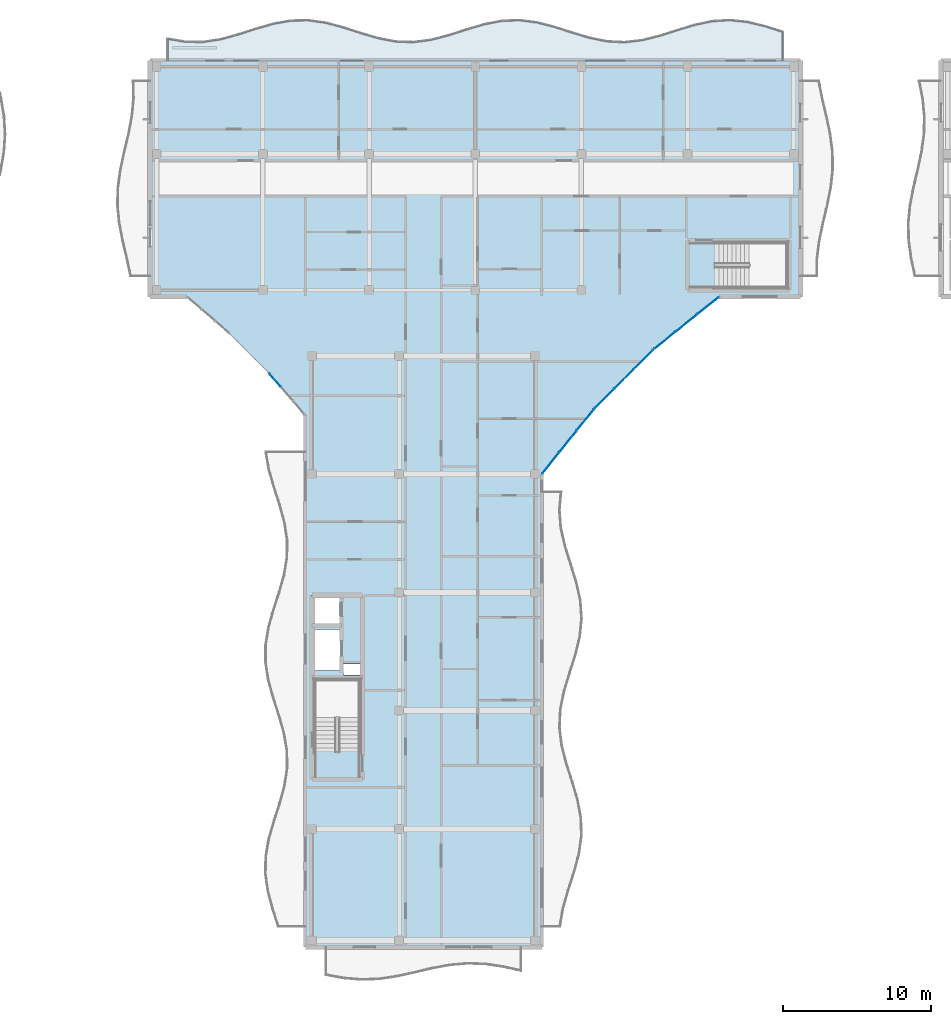
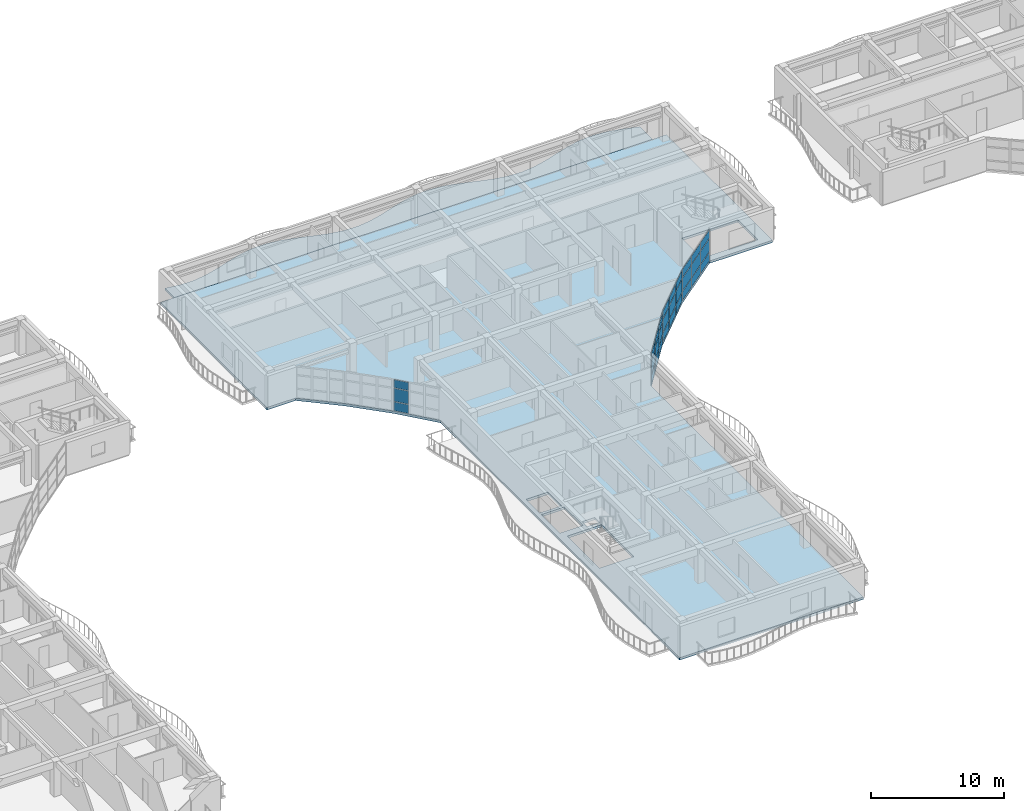
# One storey, part 28 of 76: 30 plates, 2 slabs, 4 elements without a shape of their own.
"""IFC4 building model written with IfcOpenShell, lengths in metres."""

import ifcopenshell
import ifcopenshell.guid

model = None  # the IFC model being written
_history = None  # IfcOwnerHistory: only IFC2X3 demands one
_inside = {}  # id of a spatial element -> (the spatial element, [elements in it])
_under = {}  # id of a project, library or spatial element -> (it, [spatial elements below it])
_declared = {}  # id of a project -> (the project, [libraries it declares])
_typed = {}  # id of a type object -> (the type object, [elements of that type])
_made_of = {}  # id of a material, layer set ... -> (it, [elements and type objects made of it])


def new_model(schema):
    """Start an empty IFC model of exactly this schema.

    Asked for "IFC4X3", IfcOpenShell would pick the latest addendum, in which some entities
    have other attributes; the version numbers below select the first issue.
    IFC2X3 requires an IfcOwnerHistory on every rooted entity: one is made here for all.
    """
    global model, _history
    if schema == "IFC4X3":
        model = ifcopenshell.file(schema_version=(4, 3, 0, 0))
    else:
        model = ifcopenshell.file(schema=schema)
    _inside.clear()
    _under.clear()
    _declared.clear()
    _typed.clear()
    _made_of.clear()
    _history = None
    if model.schema == "IFC2X3":
        org = make("IfcOrganization", Name="unknown")
        user = make(
            "IfcPersonAndOrganization",
            ThePerson=make("IfcPerson", FamilyName="unknown"),
            TheOrganization=org,
        )
        app = make(
            "IfcApplication",
            ApplicationDeveloper=org,
            Version="unknown",
            ApplicationFullName="unknown",
            ApplicationIdentifier="unknown",
        )
        _history = make(
            "IfcOwnerHistory",
            OwningUser=user,
            OwningApplication=app,
            ChangeAction="ADDED",
            CreationDate=0,
        )
    return model


def make(cls, **values):
    """One entity of the class cls with the attributes given. An attribute that is None is left unset."""
    return model.create_entity(
        cls, **{name: value for name, value in values.items() if value is not None}
    )


def rooted(cls, **values):
    """An entity with a GlobalId (a new one), such as an element, a storey or a relation."""
    return make(cls, GlobalId=ifcopenshell.guid.new(), OwnerHistory=_history, **values)


def si_unit(unit_type, name, prefix=None):
    """IfcSIUnit, for example si_unit("LENGTHUNIT", "METRE", prefix="MILLI")."""
    return make("IfcSIUnit", UnitType=unit_type, Prefix=prefix, Name=name)


def assignment(units):
    """IfcUnitAssignment: the units of a project."""
    return None if units is None else make("IfcUnitAssignment", Units=units)


def point(xyz):
    """IfcCartesianPoint."""
    return None if xyz is None else make("IfcCartesianPoint", Coordinates=xyz)


def direction(xyz):
    """IfcDirection."""
    return None if xyz is None else make("IfcDirection", DirectionRatios=xyz)


def frame(location, z_axis=None, x_axis=None):
    """IfcAxis2Placement3D, a coordinate frame: its origin and axes. An axis left out is left unset."""
    return make(
        "IfcAxis2Placement3D",
        Location=point(location),
        Axis=direction(z_axis),
        RefDirection=direction(x_axis),
    )


def frame_2d(location, x_axis=None):
    """IfcAxis2Placement2D, a coordinate frame in the plane: its origin and x axis."""
    return make(
        "IfcAxis2Placement2D", Location=point(location), RefDirection=direction(x_axis)
    )


def origin():
    """The frame at (0, 0, 0) with its axes left unset."""
    return frame((0.0, 0.0, 0.0))


def origin_2d():
    """The frame at (0, 0) in the plane with its x axis left unset."""
    return frame_2d((0.0, 0.0))


def place(relative_to, where):
    """IfcLocalPlacement: puts the frame where relative to a parent placement (None: the world)."""
    return make(
        "IfcLocalPlacement", PlacementRelTo=relative_to, RelativePlacement=where
    )


def context(
    kind, dimensions, precision=None, world=None, true_north=None, identifier=None
):
    """IfcGeometricRepresentationContext, for example the 3D "Model" context."""
    return make(
        "IfcGeometricRepresentationContext",
        ContextIdentifier=identifier,
        ContextType=kind,
        CoordinateSpaceDimension=dimensions,
        Precision=precision,
        WorldCoordinateSystem=world,
        TrueNorth=true_north,
    )


def subcontext(parent, identifier, kind, view, scale=None):
    """IfcGeometricRepresentationSubContext, for example "Body" below "Model"."""
    return make(
        "IfcGeometricRepresentationSubContext",
        ContextIdentifier=identifier,
        ContextType=kind,
        ParentContext=parent,
        TargetScale=scale,
        TargetView=view,
    )


def project(units=None, contexts=None):
    """IfcProject with its units and contexts."""
    return rooted(
        "IfcProject",
        Name="project",
        RepresentationContexts=contexts,
        UnitsInContext=assignment(units),
    )


def spatial(cls, under=None, at=None, **own):
    """A site, building, storey or space (cls), placed at a placement, below another one or the project."""
    s = rooted(cls, ObjectPlacement=at, **own)
    if under is not None:
        _under.setdefault(under.id(), (under, []))[1].append(s)
    return s


def polyline(points):
    """IfcPolyline through the points."""
    return make("IfcPolyline", Points=[point(p) for p in points])


def profile(cls, at=None, kind="AREA", **sizes):
    """A parametric profile (cls). Its sizes go by their IFC names, for example OverallWidth=200.0."""
    return make(cls, ProfileType=kind, Position=at, **sizes)


def rectangle(**sizes):
    """IfcRectangleProfileDef."""
    return profile("IfcRectangleProfileDef", **sizes)


def outline(outer, holes=None, kind="AREA"):
    """IfcArbitraryClosedProfileDef: a profile drawn as a closed curve; with holes, ...WithVoids."""
    if holes is None:
        return make("IfcArbitraryClosedProfileDef", ProfileType=kind, OuterCurve=outer)
    return make(
        "IfcArbitraryProfileDefWithVoids",
        ProfileType=kind,
        OuterCurve=outer,
        InnerCurves=holes,
    )


def extrude(swept, where, along, depth):
    """IfcExtrudedAreaSolid: the profile swept, set in the frame where, extruded along a direction by depth."""
    return make(
        "IfcExtrudedAreaSolid",
        SweptArea=swept,
        Position=where,
        ExtrudedDirection=direction(along),
        Depth=depth,
    )


def shape(context_of_items, identifier, shape_type, items):
    """IfcShapeRepresentation: the items that make up one representation, for example the "Body"."""
    return make(
        "IfcShapeRepresentation",
        ContextOfItems=context_of_items,
        RepresentationIdentifier=identifier,
        RepresentationType=shape_type,
        Items=items,
    )


def material(Name=None, Category=None):
    """IfcMaterial."""
    return make("IfcMaterial", Name=Name, Category=Category)


def layer(
    of_material, thickness, ventilated=None, Name=None, Category=None, Priority=None
):
    """IfcMaterialLayer: one layer of a wall or slab, of a material (None: an air gap)."""
    return make(
        "IfcMaterialLayer",
        Material=of_material,
        LayerThickness=thickness,
        IsVentilated=ventilated,
        Name=Name,
        Category=Category,
        Priority=Priority,
    )


def layer_set(layers, Name=None):
    """IfcMaterialLayerSet."""
    return make("IfcMaterialLayerSet", MaterialLayers=layers, LayerSetName=Name)


def made_of(thing, what):
    """Note that an element or type object is made of a material, layer set ...; save() writes the relation."""
    if what is not None:
        _made_of.setdefault(what.id(), (what, []))[1].append(thing)
    return thing


def type_object(cls, material=None, **own):
    """A type object (cls), such as IfcWallType, which elements share."""
    return made_of(rooted(cls, **own), material)


def element(
    cls,
    number,
    at=None,
    inside=None,
    cuts=None,
    type_object=None,
    material=None,
    context=None,
    identifier="Body",
    shape_type=None,
    held_by="IfcProductDefinitionShape",
    body=None,
    shapes=None,
    **own,
):
    """One element of the class cls, such as IfcWall. Its Tag is "e" and its number.

    at: its placement. inside: the storey or other place that contains it. cuts: it is an
    opening in that element (IfcRelVoidsElement). A single representation is given by context,
    identifier, shape_type and body (its items); several are given by shapes. held_by: the class
    of the entity that holds the representations. save() writes the other relations.
    """
    e = rooted(cls, Tag="e%d" % number, ObjectPlacement=at, **own)
    if body is not None:
        shapes = [shape(context, identifier, shape_type, body)]
    if shapes is not None:
        e.Representation = make(held_by, Representations=shapes)
    if inside is not None:
        _inside.setdefault(inside.id(), (inside, []))[1].append(e)
    if cuts is not None:
        rooted(
            "IfcRelVoidsElement", RelatingBuildingElement=cuts, RelatedOpeningElement=e
        )
    if type_object is not None:
        _typed.setdefault(type_object.id(), (type_object, []))[1].append(e)
    return made_of(e, material)


def aggregate(whole, parts):
    """IfcRelAggregates: a whole, such as a stair, and the parts it consists of."""
    return rooted("IfcRelAggregates", RelatingObject=whole, RelatedObjects=parts)


def save(model, path):
    """Write the relations noted so far, then the file.

    IfcRelAggregates (storeys below a building ...), IfcRelContainedInSpatialStructure (elements
    in a storey), IfcRelDefinesByType, IfcRelAssociatesMaterial and IfcRelDeclares: one each for
    every whole, place, type object, material and project.
    """
    for whole, parts in _under.values():
        aggregate(whole, parts)
    for where, things in _inside.values():
        rooted(
            "IfcRelContainedInSpatialStructure",
            RelatedElements=things,
            RelatingStructure=where,
        )
    for kind, things in _typed.values():
        rooted("IfcRelDefinesByType", RelatedObjects=things, RelatingType=kind)
    for what, things in _made_of.values():
        rooted("IfcRelAssociatesMaterial", RelatedObjects=things, RelatingMaterial=what)
    for by, libraries in _declared.values():
        rooted("IfcRelDeclares", RelatingContext=by, RelatedDefinitions=libraries)
    model.write(path)


model = new_model("IFC4")

# Units and contexts
model_context = context("Model", 3, precision=1e-05, world=origin(), true_north=direction((0.0, 1.0)))
body_context = subcontext(model_context, "Body", "Model", "MODEL_VIEW")
ifc_project = project(units=[si_unit("LENGTHUNIT", "METRE"), si_unit("AREAUNIT", "SQUARE_METRE"), si_unit("VOLUMEUNIT", "CUBIC_METRE"), si_unit("PLANEANGLEUNIT", "RADIAN"), si_unit("MASSUNIT", "GRAM", prefix="KILO")], contexts=[model_context])

# Site, building, storey
site_placement = place(None, origin())
site = spatial("IfcSite", under=ifc_project, at=site_placement, CompositionType="ELEMENT")
building_placement = place(site_placement, origin())
building = spatial("IfcBuilding", under=site, at=building_placement, Name="Keldmere Railside Commons", CompositionType="ELEMENT")
storey_placement = place(building_placement, frame((0.0, 0.0, 13.760009765625)))
storey = spatial("IfcBuildingStorey", under=building, at=storey_placement, Name="L04", CompositionType="ELEMENT", Elevation=13.760009765625)

# Curtain wall, plates
ifc_material_1 = material(Name="Thermally Broken Aluminium", Category="aluminium")
ifc_layer_1 = layer(ifc_material_1, 0.159912109375, Name="Court Chord Wintergarden CW 5400x2850")
ifc_layer_set_1 = layer_set([ifc_layer_1], Name="Thermally Broken Aluminium")
curtain_wall_type_1 = type_object("IfcCurtainWallType", Name="Court Chord Wintergarden CW 5400x2850", PredefinedType="NOTDEFINED", material=ifc_layer_set_1)
curtain_wall_1_placement = place(storey_placement, origin())
curtain_wall_1 = element("IfcCurtainWall", 1, at=curtain_wall_1_placement, inside=storey, type_object=curtain_wall_type_1, Name="CW-13 CW-L04-110", PredefinedType="NOTDEFINED")
ifc_material_2 = material(Name="Insulated Aluminium Spandrel Panel", Category="aluminium")
ifc_layer_2 = layer(ifc_material_2, 0.0439453125, Name="Insulated Ocher Spandrel Panel 44")
ifc_layer_set_2 = layer_set([ifc_layer_2], Name="Insulated Aluminium Spandrel Panel")
plate_type_1 = type_object("IfcPlateType", Name="Insulated Ocher Spandrel Panel 44", PredefinedType="CURTAIN_PANEL", material=ifc_layer_set_2)
plate_1_placement = place(storey_placement, frame((126.88916015625, 95.76513671875, 0.06494140625), z_axis=(0.0, 0.0, 1.0), x_axis=(-0.707106781187, -0.707106781187, 0.0)))
plate_1 = element("IfcPlate", 2, at=plate_1_placement, type_object=plate_type_1, Name="CW-13 panel 1.1", PredefinedType="CURTAIN_PANEL", context=body_context, shape_type="SweptSolid", body=[
    extrude(rectangle(XDim=1.795654296875, YDim=0.0439453125, at=origin_2d()), origin(), (0.0, 0.0, 1.0), 0.802490234375),
])
plate_2_placement = place(storey_placement, frame((126.88916015625, 95.76513671875, 0.932373046875), z_axis=(0.0, 0.0, 1.0), x_axis=(-0.707106781187, -0.707106781187, 0.0)))
plate_2 = element("IfcPlate", 3, at=plate_2_placement, type_object=plate_type_1, Name="CW-13 panel 1.2", PredefinedType="CURTAIN_PANEL", context=body_context, shape_type="SweptSolid", body=[
    extrude(rectangle(XDim=1.795654296875, YDim=0.0439453125, at=origin_2d()), origin(), (0.0, 0.0, 1.0), 1.18505859375),
])
plate_3_placement = place(storey_placement, frame((126.88916015625, 95.76513671875, 2.1826171875), z_axis=(0.0, 0.0, 1.0), x_axis=(-0.707106781187, -0.707106781187, 0.0)))
plate_3 = element("IfcPlate", 4, at=plate_3_placement, type_object=plate_type_1, Name="CW-13 panel 1.3", PredefinedType="CURTAIN_PANEL", context=body_context, shape_type="SweptSolid", body=[
    extrude(rectangle(XDim=1.795654296875, YDim=0.0439453125, at=origin_2d()), origin(), (0.0, 0.0, 1.0), 0.732421875),
])
plate_4_placement = place(storey_placement, frame((125.56201171875, 94.43798828125, 0.06494140625), z_axis=(0.0, 0.0, 1.0), x_axis=(-0.707106781187, -0.707106781187, 0.0)))
plate_4 = element("IfcPlate", 5, at=plate_4_placement, type_object=plate_type_1, Name="CW-13 panel 2.1", PredefinedType="CURTAIN_PANEL", context=body_context, shape_type="SweptSolid", body=[
    extrude(rectangle(XDim=1.828125, YDim=0.0439453125, at=origin_2d()), origin(), (0.0, 0.0, 1.0), 0.802490234375),
])
plate_5_placement = place(storey_placement, frame((125.56201171875, 94.43798828125, 0.932373046875), z_axis=(0.0, 0.0, 1.0), x_axis=(-0.707106781187, -0.707106781187, 0.0)))
plate_5 = element("IfcPlate", 6, at=plate_5_placement, type_object=plate_type_1, Name="CW-13 panel 2.2", PredefinedType="CURTAIN_PANEL", context=body_context, shape_type="SweptSolid", body=[
    extrude(rectangle(XDim=1.828125, YDim=0.0439453125, at=origin_2d()), origin(), (0.0, 0.0, 1.0), 1.18505859375),
])
plate_6_placement = place(storey_placement, frame((125.56201171875, 94.43798828125, 2.1826171875), z_axis=(0.0, 0.0, 1.0), x_axis=(-0.707106781187, -0.707106781187, 0.0)))
plate_6 = element("IfcPlate", 7, at=plate_6_placement, type_object=plate_type_1, Name="CW-13 panel 2.3", PredefinedType="CURTAIN_PANEL", context=body_context, shape_type="SweptSolid", body=[
    extrude(rectangle(XDim=1.828125, YDim=0.0439453125, at=origin_2d()), origin(), (0.0, 0.0, 1.0), 0.732421875),
])
plate_7_placement = place(storey_placement, frame((124.23486328125, 93.11083984375, 0.06494140625), z_axis=(0.0, 0.0, 1.0), x_axis=(-0.707106781187, -0.707106781187, 0.0)))
plate_7 = element("IfcPlate", 8, at=plate_7_placement, type_object=plate_type_1, Name="CW-13 panel 3.1", PredefinedType="CURTAIN_PANEL", context=body_context, shape_type="SweptSolid", body=[
    extrude(rectangle(XDim=1.795654296875, YDim=0.0439453125, at=origin_2d()), origin(), (0.0, 0.0, 1.0), 0.802490234375),
])
plate_8_placement = place(storey_placement, frame((124.23486328125, 93.11083984375, 0.932373046875), z_axis=(0.0, 0.0, 1.0), x_axis=(-0.707106781187, -0.707106781187, 0.0)))
plate_8 = element("IfcPlate", 9, at=plate_8_placement, type_object=plate_type_1, Name="CW-13 panel 3.2", PredefinedType="CURTAIN_PANEL", context=body_context, shape_type="SweptSolid", body=[
    extrude(rectangle(XDim=1.795654296875, YDim=0.0439453125, at=origin_2d()), origin(), (0.0, 0.0, 1.0), 1.18505859375),
])
plate_9_placement = place(storey_placement, frame((124.23486328125, 93.11083984375, 2.1826171875), z_axis=(0.0, 0.0, 1.0), x_axis=(-0.707106781187, -0.707106781187, 0.0)))
plate_9 = element("IfcPlate", 10, at=plate_9_placement, type_object=plate_type_1, Name="CW-13 panel 3.3", PredefinedType="CURTAIN_PANEL", context=body_context, shape_type="SweptSolid", body=[
    extrude(rectangle(XDim=1.795654296875, YDim=0.0439453125, at=origin_2d()), origin(), (0.0, 0.0, 1.0), 0.732421875),
])
aggregate(curtain_wall_1, [plate_1, plate_2, plate_3, plate_4, plate_5, plate_6, plate_7, plate_8, plate_9])

ifc_layer_3 = layer(ifc_material_1, 0.159912109375, Name="Court Chord Wintergarden CW 4800x2850")
ifc_layer_set_3 = layer_set([ifc_layer_3], Name="Thermally Broken Aluminium")
curtain_wall_type_2 = type_object("IfcCurtainWallType", Name="Court Chord Wintergarden CW 4800x2850", PredefinedType="NOTDEFINED", material=ifc_layer_set_3)
curtain_wall_2_placement = place(storey_placement, origin())
curtain_wall_2 = element("IfcCurtainWall", 11, at=curtain_wall_2_placement, inside=storey, type_object=curtain_wall_type_2, Name="CW-12 CW-L04-114", PredefinedType="NOTDEFINED")
plate_10_placement = place(storey_placement, frame((101.952392578125, 94.369384765625, 0.06494140625), z_axis=(0.0, 0.0, 1.0), x_axis=(-0.653881741053, 0.756596767584, 0.0)))
plate_10 = element("IfcPlate", 12, at=plate_10_placement, type_object=plate_type_1, Name="CW-12 panel 3.1", PredefinedType="CURTAIN_PANEL", context=body_context, shape_type="SweptSolid", body=[
    extrude(rectangle(XDim=1.16162109375, YDim=0.0439453125, at=origin_2d()), origin(), (0.0, 0.0, 1.0), 0.802490234375),
])
plate_11_placement = place(storey_placement, frame((101.952392578125, 94.369384765625, 0.932373046875), z_axis=(0.0, 0.0, 1.0), x_axis=(-0.653881741053, 0.756596767584, 0.0)))
plate_11 = element("IfcPlate", 13, at=plate_11_placement, type_object=plate_type_1, Name="CW-12 panel 3.2", PredefinedType="CURTAIN_PANEL", context=body_context, shape_type="SweptSolid", body=[
    extrude(rectangle(XDim=1.16162109375, YDim=0.0439453125, at=origin_2d()), origin(), (0.0, 0.0, 1.0), 1.18505859375),
])
plate_12_placement = place(storey_placement, frame((101.952392578125, 94.369384765625, 2.1826171875), z_axis=(0.0, 0.0, 1.0), x_axis=(-0.653881741053, 0.756596767584, 0.0)))
plate_12 = element("IfcPlate", 14, at=plate_12_placement, type_object=plate_type_1, Name="CW-12 panel 3.3", PredefinedType="CURTAIN_PANEL", context=body_context, shape_type="SweptSolid", body=[
    extrude(rectangle(XDim=1.16162109375, YDim=0.0439453125, at=origin_2d()), origin(), (0.0, 0.0, 1.0), 0.732421875),
])
aggregate(curtain_wall_2, [plate_10, plate_11, plate_12])

curtain_wall_3_placement = place(storey_placement, origin())
curtain_wall_3 = element("IfcCurtainWall", 15, at=curtain_wall_3_placement, inside=storey, type_object=curtain_wall_type_2, Name="CW-12 CW-L04-109", PredefinedType="NOTDEFINED")
ifc_layer_4 = layer(ifc_material_2, 0.050048828125, Name="Insulated Terracotta Spandrel Panel 50")
ifc_layer_set_4 = layer_set([ifc_layer_4], Name="Insulated Aluminium Spandrel Panel")
plate_type_2 = type_object("IfcPlateType", Name="Insulated Terracotta Spandrel Panel 50", PredefinedType="CURTAIN_PANEL", material=ifc_layer_set_4)
plate_13_placement = place(storey_placement, frame((122.951416015625, 91.678955078125, 0.06494140625), z_axis=(0.0, 0.0, 1.0), x_axis=(-0.625768080915, -0.780009172323, 0.0)))
plate_13 = element("IfcPlate", 16, at=plate_13_placement, type_object=plate_type_2, Name="CW-12 panel 1.1", PredefinedType="CURTAIN_PANEL", context=body_context, shape_type="SweptSolid", body=[
    extrude(rectangle(XDim=1.795654296875, YDim=0.050048828125, at=origin_2d()), origin(), (0.0, 0.0, 1.0), 0.802490234375),
])
plate_14_placement = place(storey_placement, frame((122.951416015625, 91.678955078125, 0.932373046875), z_axis=(0.0, 0.0, 1.0), x_axis=(-0.625768080915, -0.780009172323, 0.0)))
plate_14 = element("IfcPlate", 17, at=plate_14_placement, type_object=plate_type_2, Name="CW-12 panel 1.2", PredefinedType="CURTAIN_PANEL", context=body_context, shape_type="SweptSolid", body=[
    extrude(rectangle(XDim=1.795654296875, YDim=0.050048828125, at=origin_2d()), origin(), (0.0, 0.0, 1.0), 1.18505859375),
])
plate_15_placement = place(storey_placement, frame((122.951416015625, 91.678955078125, 2.1826171875), z_axis=(0.0, 0.0, 1.0), x_axis=(-0.625768080915, -0.780009172323, 0.0)))
plate_15 = element("IfcPlate", 18, at=plate_15_placement, type_object=plate_type_2, Name="CW-12 panel 1.3", PredefinedType="CURTAIN_PANEL", context=body_context, shape_type="SweptSolid", body=[
    extrude(rectangle(XDim=1.795654296875, YDim=0.050048828125, at=origin_2d()), origin(), (0.0, 0.0, 1.0), 0.732421875),
])
plate_16_placement = place(storey_placement, frame((121.777099609375, 90.215087890625, 0.06494140625), z_axis=(0.0, 0.0, 1.0), x_axis=(-0.625768080915, -0.780009172323, 0.0)))
plate_16 = element("IfcPlate", 19, at=plate_16_placement, type_object=plate_type_2, Name="CW-12 panel 2.1", PredefinedType="CURTAIN_PANEL", context=body_context, shape_type="SweptSolid", body=[
    extrude(rectangle(XDim=1.828125, YDim=0.050048828125, at=origin_2d()), origin(), (0.0, 0.0, 1.0), 0.802490234375),
])
plate_17_placement = place(storey_placement, frame((121.777099609375, 90.215087890625, 0.932373046875), z_axis=(0.0, 0.0, 1.0), x_axis=(-0.625768080915, -0.780009172323, 0.0)))
plate_17 = element("IfcPlate", 20, at=plate_17_placement, type_object=plate_type_2, Name="CW-12 panel 2.2", PredefinedType="CURTAIN_PANEL", context=body_context, shape_type="SweptSolid", body=[
    extrude(rectangle(XDim=1.828125, YDim=0.050048828125, at=origin_2d()), origin(), (0.0, 0.0, 1.0), 1.18505859375),
])
plate_18_placement = place(storey_placement, frame((121.777099609375, 90.215087890625, 2.1826171875), z_axis=(0.0, 0.0, 1.0), x_axis=(-0.625768080915, -0.780009172323, 0.0)))
plate_18 = element("IfcPlate", 21, at=plate_18_placement, type_object=plate_type_2, Name="CW-12 panel 2.3", PredefinedType="CURTAIN_PANEL", context=body_context, shape_type="SweptSolid", body=[
    extrude(rectangle(XDim=1.828125, YDim=0.050048828125, at=origin_2d()), origin(), (0.0, 0.0, 1.0), 0.732421875),
])
plate_19_placement = place(storey_placement, frame((120.6025390625, 88.7509765625, 0.06494140625), z_axis=(0.0, 0.0, 1.0), x_axis=(-0.625768080915, -0.780009172323, 0.0)))
plate_19 = element("IfcPlate", 22, at=plate_19_placement, type_object=plate_type_2, Name="CW-12 panel 3.1", PredefinedType="CURTAIN_PANEL", context=body_context, shape_type="SweptSolid", body=[
    extrude(rectangle(XDim=1.795654296875, YDim=0.050048828125, at=origin_2d()), origin(), (0.0, 0.0, 1.0), 0.802490234375),
])
plate_20_placement = place(storey_placement, frame((120.6025390625, 88.7509765625, 0.932373046875), z_axis=(0.0, 0.0, 1.0), x_axis=(-0.625768080915, -0.780009172323, 0.0)))
plate_20 = element("IfcPlate", 23, at=plate_20_placement, type_object=plate_type_2, Name="CW-12 panel 3.2", PredefinedType="CURTAIN_PANEL", context=body_context, shape_type="SweptSolid", body=[
    extrude(rectangle(XDim=1.795654296875, YDim=0.050048828125, at=origin_2d()), origin(), (0.0, 0.0, 1.0), 1.18505859375),
])
plate_21_placement = place(storey_placement, frame((120.6025390625, 88.7509765625, 2.1826171875), z_axis=(0.0, 0.0, 1.0), x_axis=(-0.625768080915, -0.780009172323, 0.0)))
plate_21 = element("IfcPlate", 24, at=plate_21_placement, type_object=plate_type_2, Name="CW-12 panel 3.3", PredefinedType="CURTAIN_PANEL", context=body_context, shape_type="SweptSolid", body=[
    extrude(rectangle(XDim=1.795654296875, YDim=0.050048828125, at=origin_2d()), origin(), (0.0, 0.0, 1.0), 0.732421875),
])
aggregate(curtain_wall_3, [plate_13, plate_14, plate_15, plate_16, plate_17, plate_18, plate_19, plate_20, plate_21])

curtain_wall_4_placement = place(storey_placement, origin())
curtain_wall_4 = element("IfcCurtainWall", 25, at=curtain_wall_4_placement, inside=storey, type_object=curtain_wall_type_2, Name="CW-12 CW-L04-111", PredefinedType="NOTDEFINED")
plate_22_placement = place(storey_placement, frame((131.2490234375, 99.3974609375, 0.06494140625), z_axis=(0.0, 0.0, 1.0), x_axis=(-0.780009172323, -0.625768080915, 0.0)))
plate_22 = element("IfcPlate", 26, at=plate_22_placement, type_object=plate_type_2, Name="CW-12 panel 1.1", PredefinedType="CURTAIN_PANEL", context=body_context, shape_type="SweptSolid", body=[
    extrude(rectangle(XDim=1.795654296875, YDim=0.050048828125, at=origin_2d()), origin(), (0.0, 0.0, 1.0), 0.802490234375),
])
plate_23_placement = place(storey_placement, frame((131.2490234375, 99.3974609375, 0.932373046875), z_axis=(0.0, 0.0, 1.0), x_axis=(-0.780009172323, -0.625768080915, 0.0)))
plate_23 = element("IfcPlate", 27, at=plate_23_placement, type_object=plate_type_2, Name="CW-12 panel 1.2", PredefinedType="CURTAIN_PANEL", context=body_context, shape_type="SweptSolid", body=[
    extrude(rectangle(XDim=1.795654296875, YDim=0.050048828125, at=origin_2d()), origin(), (0.0, 0.0, 1.0), 1.18505859375),
])
plate_24_placement = place(storey_placement, frame((131.2490234375, 99.3974609375, 2.1826171875), z_axis=(0.0, 0.0, 1.0), x_axis=(-0.780009172323, -0.625768080915, 0.0)))
plate_24 = element("IfcPlate", 28, at=plate_24_placement, type_object=plate_type_2, Name="CW-12 panel 1.3", PredefinedType="CURTAIN_PANEL", context=body_context, shape_type="SweptSolid", body=[
    extrude(rectangle(XDim=1.795654296875, YDim=0.050048828125, at=origin_2d()), origin(), (0.0, 0.0, 1.0), 0.732421875),
])
plate_25_placement = place(storey_placement, frame((129.784912109375, 98.222900390625, 0.06494140625), z_axis=(0.0, 0.0, 1.0), x_axis=(-0.780009172323, -0.625768080915, 0.0)))
plate_25 = element("IfcPlate", 29, at=plate_25_placement, type_object=plate_type_2, Name="CW-12 panel 2.1", PredefinedType="CURTAIN_PANEL", context=body_context, shape_type="SweptSolid", body=[
    extrude(rectangle(XDim=1.828125, YDim=0.050048828125, at=origin_2d()), origin(), (0.0, 0.0, 1.0), 0.802490234375),
])
plate_26_placement = place(storey_placement, frame((129.784912109375, 98.222900390625, 0.932373046875), z_axis=(0.0, 0.0, 1.0), x_axis=(-0.780009172323, -0.625768080915, 0.0)))
plate_26 = element("IfcPlate", 30, at=plate_26_placement, type_object=plate_type_2, Name="CW-12 panel 2.2", PredefinedType="CURTAIN_PANEL", context=body_context, shape_type="SweptSolid", body=[
    extrude(rectangle(XDim=1.828125, YDim=0.050048828125, at=origin_2d()), origin(), (0.0, 0.0, 1.0), 1.18505859375),
])
plate_27_placement = place(storey_placement, frame((129.784912109375, 98.222900390625, 2.1826171875), z_axis=(0.0, 0.0, 1.0), x_axis=(-0.780009172323, -0.625768080915, 0.0)))
plate_27 = element("IfcPlate", 31, at=plate_27_placement, type_object=plate_type_2, Name="CW-12 panel 2.3", PredefinedType="CURTAIN_PANEL", context=body_context, shape_type="SweptSolid", body=[
    extrude(rectangle(XDim=1.828125, YDim=0.050048828125, at=origin_2d()), origin(), (0.0, 0.0, 1.0), 0.732421875),
])
plate_28_placement = place(storey_placement, frame((128.321044921875, 97.048583984375, 0.06494140625), z_axis=(0.0, 0.0, 1.0), x_axis=(-0.780009172323, -0.625768080915, 0.0)))
plate_28 = element("IfcPlate", 32, at=plate_28_placement, type_object=plate_type_2, Name="CW-12 panel 3.1", PredefinedType="CURTAIN_PANEL", context=body_context, shape_type="SweptSolid", body=[
    extrude(rectangle(XDim=1.795654296875, YDim=0.050048828125, at=origin_2d()), origin(), (0.0, 0.0, 1.0), 0.802490234375),
])
plate_29_placement = place(storey_placement, frame((128.321044921875, 97.048583984375, 0.932373046875), z_axis=(0.0, 0.0, 1.0), x_axis=(-0.780009172323, -0.625768080915, 0.0)))
plate_29 = element("IfcPlate", 33, at=plate_29_placement, type_object=plate_type_2, Name="CW-12 panel 3.2", PredefinedType="CURTAIN_PANEL", context=body_context, shape_type="SweptSolid", body=[
    extrude(rectangle(XDim=1.795654296875, YDim=0.050048828125, at=origin_2d()), origin(), (0.0, 0.0, 1.0), 1.18505859375),
])
plate_30_placement = place(storey_placement, frame((128.321044921875, 97.048583984375, 2.1826171875), z_axis=(0.0, 0.0, 1.0), x_axis=(-0.780009172323, -0.625768080915, 0.0)))
plate_30 = element("IfcPlate", 34, at=plate_30_placement, type_object=plate_type_2, Name="CW-12 panel 3.3", PredefinedType="CURTAIN_PANEL", context=body_context, shape_type="SweptSolid", body=[
    extrude(rectangle(XDim=1.795654296875, YDim=0.050048828125, at=origin_2d()), origin(), (0.0, 0.0, 1.0), 0.732421875),
])
aggregate(curtain_wall_4, [plate_22, plate_23, plate_24, plate_25, plate_26, plate_27, plate_28, plate_29, plate_30])

# Slabs
ifc_material_3 = material(Name="Concrete H-30 (C30/37)", Category="concrete")
ifc_layer_5 = layer(ifc_material_3, 0.219970703125, Name="Residential Flat Slab 220")
ifc_layer_set_5 = layer_set([ifc_layer_5], Name="Concrete H-30 (C30/37)")
slab_type_1 = type_object("IfcSlabType", Name="Residential Flat Slab 220", PredefinedType="FLOOR", material=ifc_layer_set_5)
slab_1_placement = place(storey_placement, frame((0.0, 0.0, -0.219970703125)))
element("IfcSlab", 35, at=slab_1_placement, inside=storey, type_object=slab_type_1, Name="FS-2 BLKB-L04-039", PredefinedType="FLOOR", context=body_context, shape_type="SweptSolid", body=[
    extrude(outline(polyline([(104.0, 56.0), (120.0, 56.0), (120.0, 88.0), (123.553955078125, 92.429931640625), (127.570068359375, 96.446044921875), (132.0, 100.0), (137.5, 100.0), (137.5, 116.0), (93.5, 116.0), (93.5, 100.0), (96.0, 100.0), (98.85791015625, 97.530029296875), (101.530029296875, 94.85791015625), (104.0, 92.0), (104.0, 56.0)]), holes=[polyline([(107.675048828125, 69.22509765625), (104.675048828125, 69.22509765625), (104.675048828125, 74.074951171875), (107.675048828125, 74.074951171875), (107.675048828125, 69.22509765625)]), polyline([(107.699951171875, 74.419921875), (106.60009765625, 74.419921875), (106.60009765625, 75.159912109375), (107.699951171875, 75.159912109375), (107.699951171875, 74.419921875)]), polyline([(104.39990234375, 74.699951171875), (104.39990234375, 77.5), (106.39990234375, 77.5), (106.39990234375, 74.699951171875), (104.39990234375, 74.699951171875)]), polyline([(106.300048828125, 77.75), (104.39990234375, 77.75), (104.39990234375, 79.800048828125), (106.300048828125, 79.800048828125), (106.300048828125, 77.75)]), polyline([(131.72509765625, 103.625), (136.574951171875, 103.625), (136.574951171875, 100.625), (131.72509765625, 100.625), (131.72509765625, 103.625)])]), origin(), (0.0, 0.0, 1.0), 0.219970703125),
])
ifc_material_4 = material(Name="White Precast Concrete H-35 (C35/45)", Category="concrete")
ifc_layer_6 = layer(ifc_material_4, 0.179931640625, Name="Sinusoidal Wave Balcony Slab 180")
ifc_layer_set_6 = layer_set([ifc_layer_6], Name="White Precast Concrete H-35 (C35/45)")
slab_type_2 = type_object("IfcSlabType", Name="Sinusoidal Wave Balcony Slab 180", PredefinedType="FLOOR", material=ifc_layer_set_6)
slab_2_placement = place(storey_placement, frame((0.0, 0.0, -0.179931640625)))
element("IfcSlab", 36, at=slab_2_placement, inside=storey, type_object=slab_type_2, Name="WB-1 B L04 N Wave Balcony", PredefinedType="FLOOR", context=body_context, shape_type="SweptSolid", body=[
    extrude(outline(polyline([(94.699951171875, 116.0), (95.888671875, 116.0), (97.0771484375, 116.0), (98.265625, 116.0), (99.454345703125, 116.0), (100.642822265625, 116.0), (101.831298828125, 116.0), (103.02001953125, 116.0), (104.20849609375, 116.0), (105.397216796875, 116.0), (106.585693359375, 116.0), (107.7744140625, 116.0), (108.962890625, 116.0), (110.1513671875, 116.0), (111.340087890625, 116.0), (112.528564453125, 116.0), (113.717041015625, 116.0), (114.90576171875, 116.0), (116.09423828125, 116.0), (117.282958984375, 116.0), (118.471435546875, 116.0), (119.659912109375, 116.0), (120.8486328125, 116.0), (122.037109375, 116.0), (123.2255859375, 116.0), (124.414306640625, 116.0), (125.602783203125, 116.0), (126.79150390625, 116.0), (127.97998046875, 116.0), (129.168701171875, 116.0), (130.357177734375, 116.0), (131.545654296875, 116.0), (132.734375, 116.0), (133.9228515625, 116.0), (135.111328125, 116.0), (136.300048828125, 116.0), (136.300048828125, 117.90478515625), (135.111328125, 118.281982421875), (133.9228515625, 118.571533203125), (132.734375, 118.697998046875), (131.545654296875, 118.62744140625), (130.357177734375, 118.37890625), (129.168701171875, 118.017578125), (127.97998046875, 117.638427734375), (126.79150390625, 117.34130859375), (125.602783203125, 117.2041015625), (124.414306640625, 117.26318359375), (123.2255859375, 117.5029296875), (122.037109375, 117.860107421875), (120.8486328125, 118.240966796875), (119.659912109375, 118.54541015625), (118.471435546875, 118.693115234375), (117.282958984375, 118.6455078125), (116.09423828125, 118.414794921875), (114.90576171875, 118.06201171875), (113.717041015625, 117.6796875), (112.528564453125, 117.368408203125), (111.340087890625, 117.210205078125), (110.1513671875, 117.246337890625), (108.962890625, 117.467529296875), (107.7744140625, 117.81591796875), (106.585693359375, 118.19921875), (105.397216796875, 118.51708984375), (104.20849609375, 118.685791015625), (103.02001953125, 118.660888671875), (101.831298828125, 118.44921875), (100.642822265625, 118.106201171875), (99.454345703125, 117.72216796875), (98.265625, 117.39794921875), (97.0771484375, 117.218994140625), (95.888671875, 117.232177734375), (94.699951171875, 117.43408203125), (94.699951171875, 116.0)])), origin(), (0.0, 0.0, 1.0), 0.179931640625),
])

save(model, "model.ifc")
